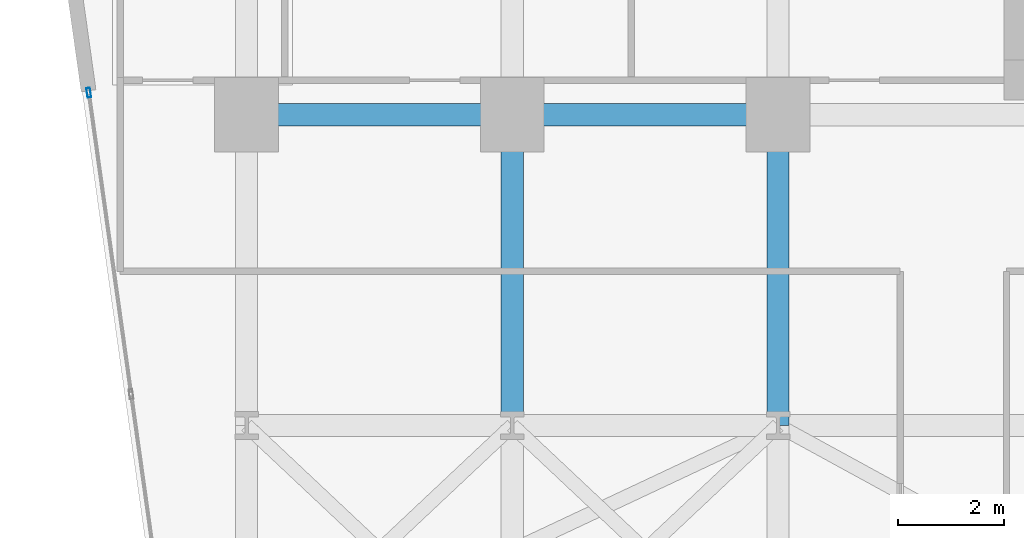
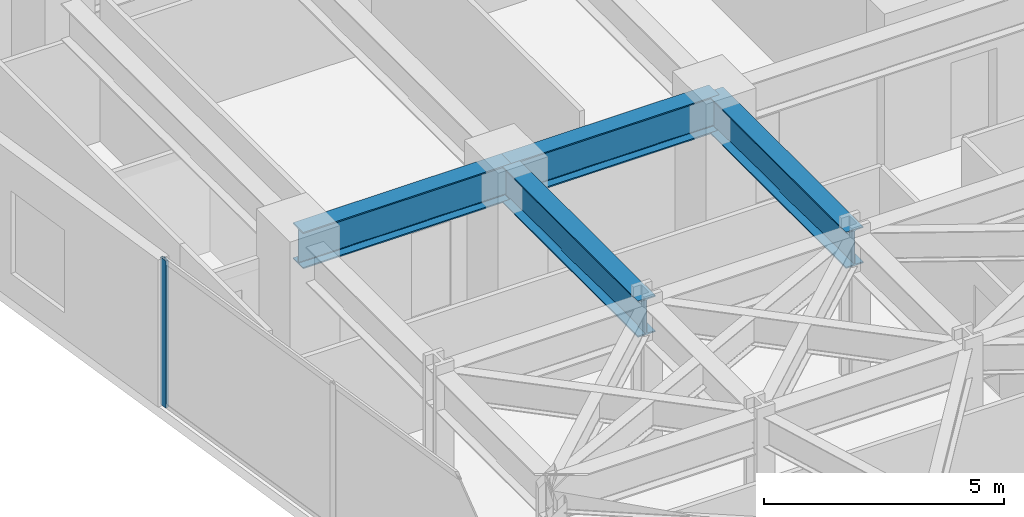
# One storey, part 17 of 25: 4 beams, 1 member, 1 element without a shape of its own.
"""IFC4 building model written with IfcOpenShell, lengths in metres."""

from ifc_helpers import new_model, si_unit, direction, frame, origin, origin_2d, place, context, subcontext, project, spatial, hollow_rectangle, i_section, extrude, material, layer, layer_set, material_profile, profile_set, type_object, element, aggregate, save


model = new_model("IFC4")

# Units and contexts
model_context = context("Model", 3, precision=1e-05, world=origin(), true_north=direction((0.0, 1.0)))
body_context = subcontext(model_context, "Body", "Model", "MODEL_VIEW")
ifc_project = project(units=[si_unit("LENGTHUNIT", "METRE"), si_unit("AREAUNIT", "SQUARE_METRE"), si_unit("VOLUMEUNIT", "CUBIC_METRE"), si_unit("PLANEANGLEUNIT", "RADIAN"), si_unit("MASSUNIT", "GRAM", prefix="KILO")], contexts=[model_context])

# Site, building, storey
site_placement = place(None, origin())
site = spatial("IfcSite", under=ifc_project, at=site_placement, CompositionType="ELEMENT")
building_placement = place(site_placement, origin())
building = spatial("IfcBuilding", under=site, at=building_placement, Name="Kravanh Interchange Tower", CompositionType="ELEMENT")
storey_placement = place(building_placement, frame((0.0, 0.0, 57.5)))
storey = spatial("IfcBuildingStorey", under=building, at=storey_placement, Name="L13", CompositionType="ELEMENT", Elevation=57.5)

# Curtain wall, member
ifc_material_1 = material(Name="Anodised Bronze Aluminium", Category="aluminium")
ifc_layer = layer(ifc_material_1, 0.179931640625)
ifc_layer_set = layer_set([ifc_layer], Name="Unitised Curtain Wall System CW-Z1 Lower Office")
curtain_wall_type = type_object("IfcCurtainWallType", Name="Unitised Curtain Wall System CW-Z1 Lower Office", PredefinedType="NOTDEFINED", material=ifc_layer_set)
curtain_wall_placement = place(storey_placement, origin())
curtain_wall = element("IfcCurtainWall", 1, at=curtain_wall_placement, inside=storey, type_object=curtain_wall_type, Name="L13 Unitised Curtain Wall CW-L13-01", PredefinedType="NOTDEFINED")
ifc_material_2 = material(Name="Anodised Bronze Aluminium", Category="aluminium")
ifc_material_profile_1 = material_profile(ifc_material_2, hollow_rectangle(XDim=0.070068359375, YDim=0.179931640625, WallThickness=0.00390625, at=origin_2d()), Name="ALU70X180X4")
ifc_profile_set_1 = profile_set([ifc_material_profile_1], Name="Anodised Bronze Aluminium")
member_type = type_object("IfcMemberType", Name="Curtain Wall Mullion ALU70X180X4 Bronze", PredefinedType="MULLION", material=ifc_profile_set_1)
member_placement = place(storey_placement, frame((5.6298828125, 37.765380859375, 0.0), z_axis=(0.0, 0.0, 1.0), x_axis=(-0.990267585682, -0.139176538065, 0.0)))
member = element("IfcMember", 2, at=member_placement, type_object=member_type, Name="CW-Z1 mullion 7", PredefinedType="MULLION", context=body_context, shape_type="SweptSolid", body=[
    extrude(hollow_rectangle(XDim=0.070068359375, YDim=0.179931640625, WallThickness=0.00390625, at=origin_2d()), origin(), (0.0, 0.0, 1.0), 3.739990234375),
])
aggregate(curtain_wall, [member])

# Beams
ifc_material_3 = material(Name="Structural Steel S355", Category="steel")
ifc_material_profile_2 = material_profile(ifc_material_3, i_section(OverallWidth=0.41796875, OverallDepth=0.927001953125, WebThickness=0.019287109375, FlangeThickness=0.031982421875, FilletRadius=0.028076171875, at=origin_2d()), Name="W36X231")
ifc_profile_set_2 = profile_set([ifc_material_profile_2], Name="Structural Steel S355")
beam_type = type_object("IfcBeamType", Name="Floor Beam W36X231 Structural Steel S355", PredefinedType="BEAM", material=ifc_profile_set_2)
beam_1_placement = place(storey_placement, frame((18.60009765625, 37.35009765625, 3.276611328125), z_axis=(-1.0, 0.0, 0.0), x_axis=(0.0, -1.0, 0.0)))
element("IfcBeam", 3, at=beam_1_placement, inside=storey, type_object=beam_type, Name="L13 Primary Floor Girder 28", PredefinedType="BEAM", context=body_context, shape_type="SweptSolid", body=[
    extrude(i_section(OverallWidth=0.41796875, OverallDepth=0.927001953125, WebThickness=0.019287109375, FlangeThickness=0.031982421875, FilletRadius=0.028076171875, at=origin_2d()), origin(), (0.0, 0.0, 1.0), 5.0),
])
beam_2_placement = place(storey_placement, frame((18.60009765625, 37.35009765625, 3.276611328125), z_axis=(0.0, -1.0, 0.0), x_axis=(1.0, 0.0, 0.0)))
element("IfcBeam", 4, at=beam_2_placement, inside=storey, type_object=beam_type, Name="L13 Primary Floor Girder 29", PredefinedType="BEAM", context=body_context, shape_type="SweptSolid", body=[
    extrude(i_section(OverallWidth=0.41796875, OverallDepth=0.927001953125, WebThickness=0.019287109375, FlangeThickness=0.031982421875, FilletRadius=0.028076171875, at=origin_2d()), origin(), (0.0, 0.0, 1.0), 5.85009765625),
])
beam_3_placement = place(storey_placement, frame((13.60009765625, 37.35009765625, 3.276611328125), z_axis=(-1.0, 0.0, 0.0), x_axis=(0.0, -1.0, 0.0)))
element("IfcBeam", 5, at=beam_3_placement, inside=storey, type_object=beam_type, Name="L13 Primary Floor Girder 32", PredefinedType="BEAM", context=body_context, shape_type="SweptSolid", body=[
    extrude(i_section(OverallWidth=0.41796875, OverallDepth=0.927001953125, WebThickness=0.019287109375, FlangeThickness=0.031982421875, FilletRadius=0.028076171875, at=origin_2d()), origin(), (0.0, 0.0, 1.0), 5.0),
])
beam_4_placement = place(storey_placement, frame((13.60009765625, 37.35009765625, 3.276611328125), z_axis=(0.0, -1.0, 0.0), x_axis=(1.0, 0.0, 0.0)))
element("IfcBeam", 6, at=beam_4_placement, inside=storey, type_object=beam_type, Name="L13 Primary Floor Girder 33", PredefinedType="BEAM", context=body_context, shape_type="SweptSolid", body=[
    extrude(i_section(OverallWidth=0.41796875, OverallDepth=0.927001953125, WebThickness=0.019287109375, FlangeThickness=0.031982421875, FilletRadius=0.028076171875, at=origin_2d()), origin(), (0.0, 0.0, 1.0), 5.85009765625),
])

save(model, "model.ifc")
